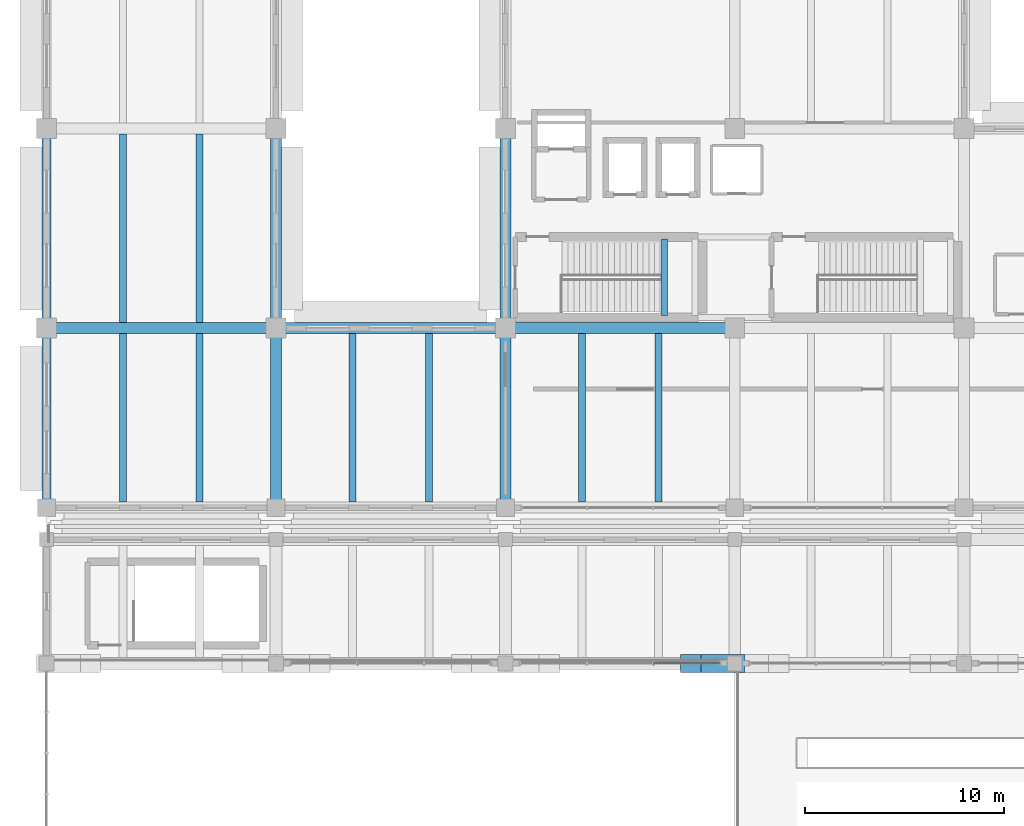
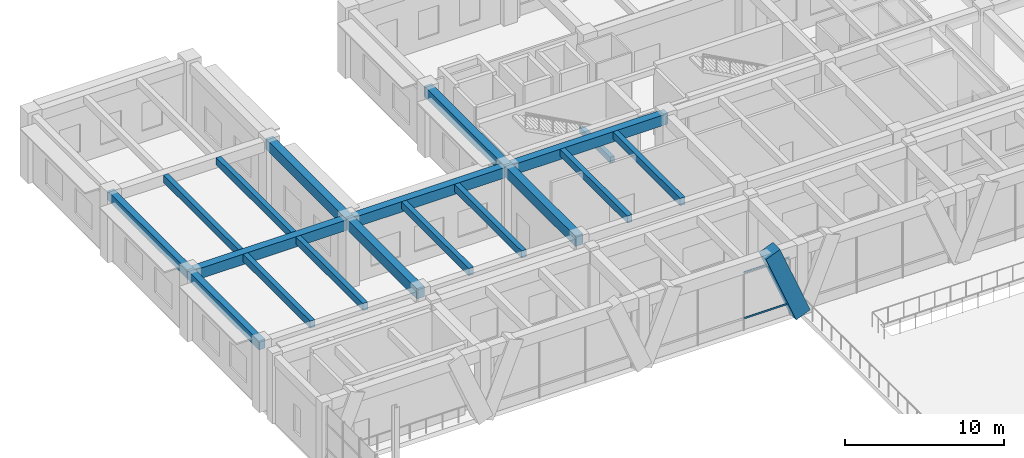
# One storey, part 53 of 148: 18 beams, 3 members, 1 element without a shape of its own.
"""IFC4 building model written with IfcOpenShell, lengths in metres."""

from ifc_helpers import new_model, si_unit, direction, frame, origin, origin_2d, place, context, subcontext, project, spatial, rectangle, hollow_rectangle, extrude, material, material_profile, profile_set, type_object, element, aggregate, save


model = new_model("IFC4")

# Units and contexts
model_context = context("Model", 3, precision=1e-05, world=origin(), true_north=direction((0.0, 1.0)))
body_context = subcontext(model_context, "Body", "Model", "MODEL_VIEW")
ifc_project = project(units=[si_unit("LENGTHUNIT", "METRE"), si_unit("AREAUNIT", "SQUARE_METRE"), si_unit("VOLUMEUNIT", "CUBIC_METRE"), si_unit("PLANEANGLEUNIT", "RADIAN"), si_unit("MASSUNIT", "GRAM", prefix="KILO")], contexts=[model_context])

# Site, building, storey
site_placement = place(None, origin())
site = spatial("IfcSite", under=ifc_project, at=site_placement, CompositionType="ELEMENT")
building_placement = place(site_placement, origin())
building = spatial("IfcBuilding", under=site, at=building_placement, Name="Ologun Quay Terminus", CompositionType="ELEMENT")
storey_placement = place(building_placement, frame((0.0, 0.0, 8.39990234375)))
storey = spatial("IfcBuildingStorey", under=building, at=storey_placement, Name="L02", CompositionType="ELEMENT", Elevation=8.39990234375)

# Curtain wall, members
ifc_material_1 = material(Name="Aluminium 6063-T6", Category="aluminium")
curtain_wall_type = type_object("IfcCurtainWallType", Name="Train Shed North Clerestory Curtain Wall 10700x4850", PredefinedType="USERDEFINED", material=ifc_material_1)
curtain_wall_placement = place(storey_placement, origin())
curtain_wall = element("IfcCurtainWall", 1, at=curtain_wall_placement, inside=storey, type_object=curtain_wall_type, Name="CW-09 Curtain Wall CW-L02-049", ObjectType="UNITISED CURTAIN WALL", PredefinedType="USERDEFINED")
ifc_material_2 = material(Name="Aluminium 6063-T6", Category="aluminium")
ifc_material_profile_1 = material_profile(ifc_material_2, hollow_rectangle(XDim=0.06005859375, YDim=0.1298828125, WallThickness=0.00390625, at=origin_2d()), Name="ALU 130x60x4")
ifc_profile_set_1 = profile_set([ifc_material_profile_1], Name="Aluminium 6063-T6")
member_type_1 = type_object("IfcMemberType", Name="Concourse Clerestory Transom 130x60", PredefinedType="USERDEFINED", material=ifc_profile_set_1)
member_1_placement = place(storey_placement, frame((30.418212890625, 78.0, 0.900146484375), z_axis=(1.0, 0.0, 0.0), x_axis=(0.0, 1.0, 0.0)))
member_1 = element("IfcMember", 2, at=member_1_placement, type_object=member_type_1, Name="CW-L02-049 Transom B3-1", ObjectType="TRANSOM", PredefinedType="USERDEFINED", context=body_context, shape_type="SweptSolid", body=[
    extrude(hollow_rectangle(XDim=0.06005859375, YDim=0.1298828125, WallThickness=0.00390625, at=origin_2d()), origin(), (0.0, 0.0, 1.0), 3.336669921875),
])
member_2_placement = place(storey_placement, frame((30.418212890625, 78.0, 4.400146484375), z_axis=(1.0, 0.0, 0.0), x_axis=(0.0, 1.0, 0.0)))
member_2 = element("IfcMember", 3, at=member_2_placement, type_object=member_type_1, Name="CW-L02-049 Transom B3-2", ObjectType="TRANSOM", PredefinedType="USERDEFINED", context=body_context, shape_type="SweptSolid", body=[
    extrude(hollow_rectangle(XDim=0.06005859375, YDim=0.1298828125, WallThickness=0.00390625, at=origin_2d()), origin(), (0.0, 0.0, 1.0), 3.336669921875),
])
aggregate(curtain_wall, [member_1, member_2])

# Beams
ifc_material_3 = material(Name="Concrete C40/50", Category="concrete")
ifc_material_profile_2 = material_profile(ifc_material_3, rectangle(XDim=0.300048828125, YDim=0.449951171875, at=origin_2d()), Name="RC 300x450")
ifc_profile_set_2 = profile_set([ifc_material_profile_2], Name="Concrete C40/50")
beam_type_1 = type_object("IfcBeamType", Name="Core Coupling Lintel Beam 300x450", PredefinedType="LINTEL", material=ifc_profile_set_2)
beam_1_placement = place(storey_placement, frame((30.969970703125, 95.429931640625, 2.295166015625), z_axis=(0.0, 1.0, 0.0), x_axis=(-1.0, 0.0, 0.0)))
element("IfcBeam", 4, at=beam_1_placement, inside=storey, type_object=beam_type_1, Name="LN1 Half-Landing Ledger Beam ST-W1-W L02", PredefinedType="LINTEL", context=body_context, shape_type="SweptSolid", body=[
    extrude(rectangle(XDim=0.300048828125, YDim=0.449951171875, at=origin_2d()), origin(), (0.0, 0.0, 1.0), 3.840087890625),
])
ifc_material_4 = material(Name="Concrete C40/50", Category="concrete")
ifc_material_profile_3 = material_profile(ifc_material_4, rectangle(XDim=0.550048828125, YDim=0.800048828125, at=origin_2d()), Name="RC 550x800")
ifc_profile_set_3 = profile_set([ifc_material_profile_3], Name="Concrete C40/50")
beam_type_2 = type_object("IfcBeamType", Name="Courtyard Wing Primary Girder 550x800", PredefinedType="BEAM", material=ifc_profile_set_3)
for number, where, z_axis, x_axis, name in (
    (5, (0.0, 94.800048828125, 4.75), (1.0, 0.0, 0.0), (0.0, 1.0, 0.0), "B4 Beam 1/H L02"),
    (6, (11.5, 94.800048828125, 4.75), (1.0, 0.0, 0.0), (0.0, 1.0, 0.0), "B4 Beam 2/H L02"),
    (7, (23.0, 94.800048828125, 4.75), (1.0, 0.0, 0.0), (0.0, 1.0, 0.0), "B4 Beam 3/H L02"),
):
    element("IfcBeam", number, at=place(storey_placement, frame(where, z_axis=z_axis, x_axis=x_axis)), inside=storey, type_object=beam_type_2, Name=name, PredefinedType="BEAM", context=body_context, shape_type="SweptSolid", body=[
        extrude(rectangle(XDim=0.550048828125, YDim=0.800048828125, at=origin_2d()), origin(), (0.0, 0.0, 1.0), 11.5),
    ])
beam_2_placement = place(storey_placement, frame((11.5, 85.800048828125, 4.75), z_axis=(0.0, 1.0, 0.0), x_axis=(-1.0, 0.0, 0.0)))
element("IfcBeam", 8, at=beam_2_placement, inside=storey, type_object=beam_type_2, Name="B4 Beam 2/G2 L02", PredefinedType="BEAM", context=body_context, shape_type="SweptSolid", body=[
    extrude(rectangle(XDim=0.550048828125, YDim=0.800048828125, at=origin_2d()), origin(), (0.0, 0.0, 1.0), 9.0),
])
beam_3_placement = place(storey_placement, frame((11.5, 94.800048828125, 4.75), z_axis=(0.0, 1.0, 0.0), x_axis=(-1.0, 0.0, 0.0)))
element("IfcBeam", 9, at=beam_3_placement, inside=storey, type_object=beam_type_2, Name="B4 Beam 2/H L02", PredefinedType="BEAM", context=body_context, shape_type="SweptSolid", body=[
    extrude(rectangle(XDim=0.550048828125, YDim=0.800048828125, at=origin_2d()), origin(), (0.0, 0.0, 1.0), 10.0),
])
beam_4_placement = place(storey_placement, frame((23.0, 85.800048828125, 4.75), z_axis=(0.0, 1.0, 0.0), x_axis=(-1.0, 0.0, 0.0)))
element("IfcBeam", 10, at=beam_4_placement, inside=storey, type_object=beam_type_2, Name="B4 Beam 3/G2 L02", PredefinedType="BEAM", context=body_context, shape_type="SweptSolid", body=[
    extrude(rectangle(XDim=0.550048828125, YDim=0.800048828125, at=origin_2d()), origin(), (0.0, 0.0, 1.0), 9.0),
])
beam_5_placement = place(storey_placement, frame((23.0, 94.800048828125, 4.75), z_axis=(0.0, 1.0, 0.0), x_axis=(-1.0, 0.0, 0.0)))
element("IfcBeam", 11, at=beam_5_placement, inside=storey, type_object=beam_type_2, Name="B4 Beam 3/H L02", PredefinedType="BEAM", context=body_context, shape_type="SweptSolid", body=[
    extrude(rectangle(XDim=0.550048828125, YDim=0.800048828125, at=origin_2d()), origin(), (0.0, 0.0, 1.0), 10.0),
])
ifc_material_5 = material(Name="Concrete C40/50", Category="concrete")
ifc_material_profile_4 = material_profile(ifc_material_5, rectangle(XDim=0.35009765625, YDim=0.550048828125, at=origin_2d()), Name="RC 350x550")
ifc_profile_set_4 = profile_set([ifc_material_profile_4], Name="Concrete C40/50")
beam_type_3 = type_object("IfcBeamType", Name="Courtyard Wing Secondary Joist 350x550", PredefinedType="JOIST", material=ifc_profile_set_4)
for number, where, z_axis, x_axis, name in (
    (12, (3.833251953125, 86.074951171875, 4.875), (0.0, 1.0, 0.0), (-1.0, 0.0, 0.0), "J2 Beam 1/G2 L02"),
    (13, (7.666748046875, 86.074951171875, 4.875), (0.0, 1.0, 0.0), (-1.0, 0.0, 0.0), "J2 Beam 1/G2 L02"),
):
    element("IfcBeam", number, at=place(storey_placement, frame(where, z_axis=z_axis, x_axis=x_axis)), inside=storey, type_object=beam_type_3, Name=name, PredefinedType="JOIST", context=body_context, shape_type="SweptSolid", body=[
        extrude(rectangle(XDim=0.35009765625, YDim=0.550048828125, at=origin_2d()), origin(), (0.0, 0.0, 1.0), 8.449951171875),
    ])
for number, where, z_axis, x_axis, name in (
    (14, (3.833251953125, 95.074951171875, 4.875), (0.0, 1.0, 0.0), (-1.0, 0.0, 0.0), "J2 Beam 1/H L02"),
    (15, (7.666748046875, 95.074951171875, 4.875), (0.0, 1.0, 0.0), (-1.0, 0.0, 0.0), "J2 Beam 1/H L02"),
):
    element("IfcBeam", number, at=place(storey_placement, frame(where, z_axis=z_axis, x_axis=x_axis)), inside=storey, type_object=beam_type_3, Name=name, PredefinedType="JOIST", context=body_context, shape_type="SweptSolid", body=[
        extrude(rectangle(XDim=0.35009765625, YDim=0.550048828125, at=origin_2d()), origin(), (0.0, 0.0, 1.0), 9.449951171875),
    ])
for number, where, z_axis, x_axis, name in (
    (16, (15.333251953125, 86.074951171875, 4.875), (0.0, 1.0, 0.0), (-1.0, 0.0, 0.0), "J2 Beam 2/G2 L02"),
    (17, (19.166748046875, 86.074951171875, 4.875), (0.0, 1.0, 0.0), (-1.0, 0.0, 0.0), "J2 Beam 2/G2 L02"),
    (18, (26.833251953125, 86.074951171875, 4.875), (0.0, 1.0, 0.0), (-1.0, 0.0, 0.0), "J2 Beam 3/G2 L02"),
    (19, (30.666748046875, 86.074951171875, 4.875), (0.0, 1.0, 0.0), (-1.0, 0.0, 0.0), "J2 Beam 3/G2 L02"),
):
    element("IfcBeam", number, at=place(storey_placement, frame(where, z_axis=z_axis, x_axis=x_axis)), inside=storey, type_object=beam_type_3, Name=name, PredefinedType="JOIST", context=body_context, shape_type="SweptSolid", body=[
        extrude(rectangle(XDim=0.35009765625, YDim=0.550048828125, at=origin_2d()), origin(), (0.0, 0.0, 1.0), 8.449951171875),
    ])
ifc_material_6 = material(Name="Concrete C40/50", Category="concrete")
ifc_material_profile_5 = material_profile(ifc_material_6, rectangle(XDim=0.449951171875, YDim=0.699951171875, at=origin_2d()), Name="RC 450x700")
ifc_profile_set_5 = profile_set([ifc_material_profile_5], Name="Concrete C40/50")
beam_type_4 = type_object("IfcBeamType", Name="Perimeter Spandrel Beam 450x700", PredefinedType="SPANDREL", material=ifc_profile_set_5)
beam_6_placement = place(storey_placement, frame((0.0, 85.800048828125, 4.800048828125), z_axis=(0.0, 1.0, 0.0), x_axis=(-1.0, 0.0, 0.0)))
element("IfcBeam", 20, at=beam_6_placement, inside=storey, type_object=beam_type_4, Name="SP1 Beam 1/G2 L02", PredefinedType="SPANDREL", context=body_context, shape_type="SweptSolid", body=[
    extrude(rectangle(XDim=0.449951171875, YDim=0.699951171875, at=origin_2d()), origin(), (0.0, 0.0, 1.0), 9.0),
])
beam_7_placement = place(storey_placement, frame((0.0, 94.800048828125, 4.800048828125), z_axis=(0.0, 1.0, 0.0), x_axis=(-1.0, 0.0, 0.0)))
element("IfcBeam", 21, at=beam_7_placement, inside=storey, type_object=beam_type_4, Name="SP1 Beam 1/H L02", PredefinedType="SPANDREL", context=body_context, shape_type="SweptSolid", body=[
    extrude(rectangle(XDim=0.449951171875, YDim=0.699951171875, at=origin_2d()), origin(), (0.0, 0.0, 1.0), 10.0),
])

# Member
ifc_material_7 = material(Name="Concrete C45/55", Category="concrete")
ifc_material_profile_6 = material_profile(ifc_material_7, rectangle(XDim=0.89990234375, YDim=1.10009765625, at=origin_2d()), Name="RC 900x1100")
ifc_profile_set_6 = profile_set([ifc_material_profile_6], Name="Concrete C45/55")
member_type_2 = type_object("IfcMemberType", Name="Sculpted Concrete Arch V-Buttress Strut 900x1100", PredefinedType="STRUT", material=ifc_profile_set_6)
member_3_placement = place(storey_placement, frame((34.5, 78.0, 0.0), z_axis=(-0.377280927807, 0.0, 0.926098861631), x_axis=(0.0, -1.0, 0.0)))
element("IfcMember", 22, at=member_3_placement, inside=storey, type_object=member_type_2, Name="VS1 Arch V-Buttress West Limb 4/F", PredefinedType="STRUT", context=body_context, shape_type="SweptSolid", body=[
    extrude(rectangle(XDim=0.89990234375, YDim=1.10009765625, at=origin_2d()), origin(), (0.0, 0.0, 1.0), 5.8310546875),
])

save(model, "model.ifc")
